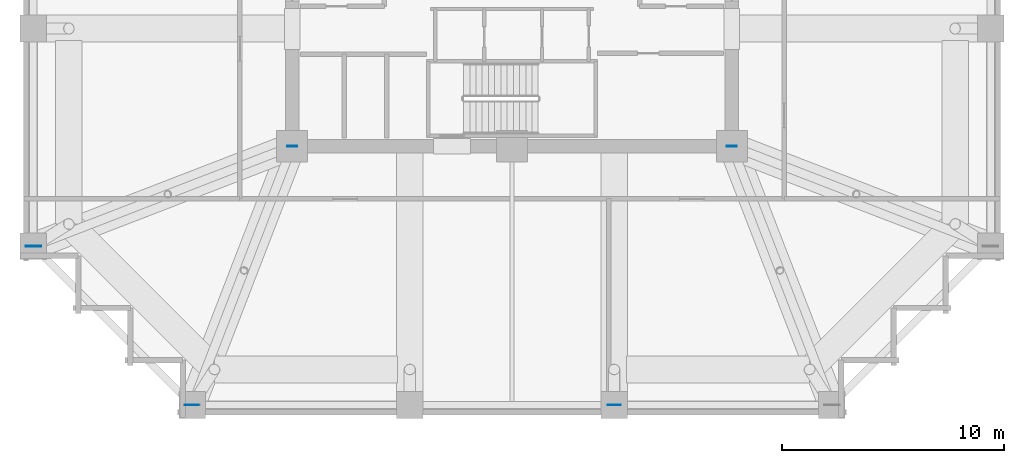
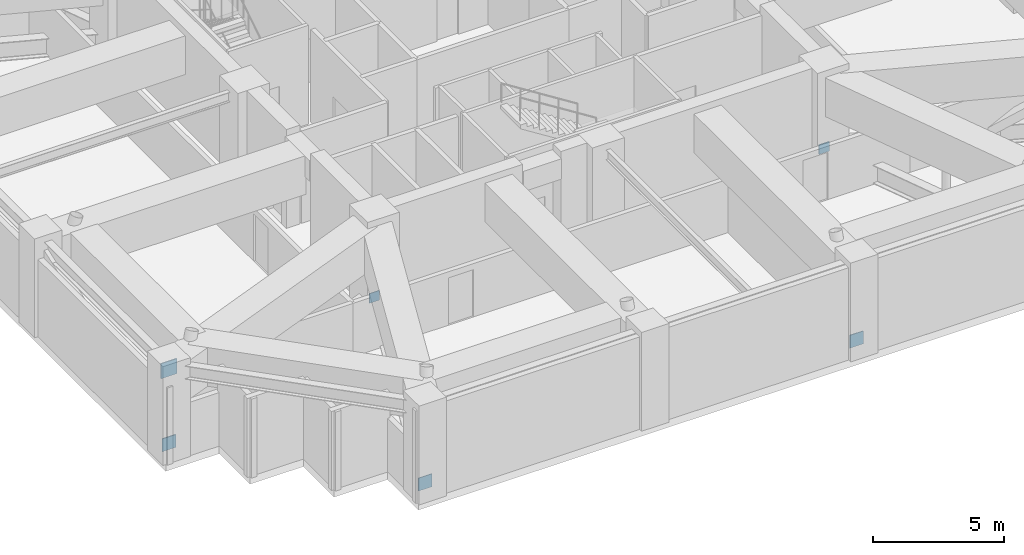
# One storey, part 8 of 15: 6 plates.
"""IFC4 building model written with IfcOpenShell, lengths in metres."""

from ifc_helpers import new_model, si_unit, direction, frame, origin, origin_2d, place, context, subcontext, project, spatial, rectangle, extrude, material, layer, layer_set, type_object, element, save


model = new_model("IFC4")

# Units and contexts
model_context = context("Model", 3, precision=1e-05, world=origin(), true_north=direction((0.0, 1.0)))
body_context = subcontext(model_context, "Body", "Model", "MODEL_VIEW")
ifc_project = project(units=[si_unit("LENGTHUNIT", "METRE"), si_unit("AREAUNIT", "SQUARE_METRE"), si_unit("VOLUMEUNIT", "CUBIC_METRE"), si_unit("PLANEANGLEUNIT", "RADIAN"), si_unit("MASSUNIT", "GRAM", prefix="KILO")], contexts=[model_context])

# Site, building, storey
site_placement = place(None, origin())
site = spatial("IfcSite", under=ifc_project, at=site_placement, CompositionType="ELEMENT")
building_placement = place(site_placement, origin())
building = spatial("IfcBuilding", under=site, at=building_placement, Name="Kolvaren Belvedere", CompositionType="ELEMENT")
storey_placement = place(building_placement, frame((0.0, 0.0, 63.39990234375)))
storey = spatial("IfcBuildingStorey", under=building, at=storey_placement, Name="L18", CompositionType="ELEMENT", Elevation=63.39990234375)

# Plates
ifc_material_1 = material(Name="Structural steel ASTM A572 Grade 50", Category="steel")
ifc_layer_1 = layer(ifc_material_1, 0.02490234375)
ifc_layer_set_1 = layer_set([ifc_layer_1], Name="Structural steel ASTM A572 Grade 50")
plate_type_1 = type_object("IfcPlateType", Name="PL-GUSSET-25", PredefinedType="USERDEFINED", material=ifc_layer_set_1)
for number, where, z_axis, x_axis, name in (
    (1, (-9.89990234375, -9.89990234375, 0.2548828125), (0.0, 0.0, 1.0), (1.0, 0.0, 0.0), "L18 Outrigger Node Cap Gusset OC-CC1"),
    (2, (9.89990234375, -9.89990234375, 0.2548828125), (0.0, 0.0, 1.0), (1.0, 0.0, 0.0), "L18 Outrigger Node Cap Gusset OC-CC2"),
):
    element("IfcPlate", number, at=place(storey_placement, frame(where, z_axis=z_axis, x_axis=x_axis)), inside=storey, type_object=plate_type_1, Name=name, ObjectType="GUSSET PLATE", PredefinedType="USERDEFINED", context=body_context, shape_type="SweptSolid", body=[
        extrude(rectangle(XDim=0.449951171875, YDim=0.02490234375, at=origin_2d()), origin(), (0.0, 0.0, 1.0), 0.449951171875),
    ])
ifc_material_2 = material(Name="Structural steel ASTM A572 Grade 50", Category="steel")
ifc_layer_2 = layer(ifc_material_2, 0.031982421875)
ifc_layer_set_2 = layer_set([ifc_layer_2], Name="Structural steel ASTM A572 Grade 50")
plate_type_2 = type_object("IfcPlateType", Name="PL-GUSSET-32", PredefinedType="USERDEFINED", material=ifc_layer_set_2)
for number, where, z_axis, x_axis, name in (
    (3, (-14.39990234375, -21.550048828125, 0.179931640625), (0.0, 0.0, 1.0), (1.0, 0.0, 0.0), "L18 Belt Truss Node Gusset BN-1"),
    (4, (4.60009765625, -21.550048828125, 0.179931640625), (0.0, 0.0, 1.0), (1.0, 0.0, 0.0), "L18 Belt Truss Node Gusset BN-2"),
    (5, (-21.550048828125, -14.39990234375, 0.179931640625), (0.0, 0.0, 1.0), (1.0, 0.0, 0.0), "L18 Belt Truss Node Gusset BN-5"),
):
    element("IfcPlate", number, at=place(storey_placement, frame(where, z_axis=z_axis, x_axis=x_axis)), inside=storey, type_object=plate_type_2, Name=name, ObjectType="GUSSET PLATE", PredefinedType="USERDEFINED", context=body_context, shape_type="SweptSolid", body=[
        extrude(rectangle(XDim=0.60009765625, YDim=0.031982421875, at=origin_2d()), origin(), (0.0, 0.0, 1.0), 0.60009765625),
    ])
ifc_material_3 = material(Name="Structural steel ASTM A572 Grade 50", Category="steel")
ifc_layer_3 = layer(ifc_material_3, 0.0400390625)
ifc_layer_set_3 = layer_set([ifc_layer_3], Name="Structural steel ASTM A572 Grade 50")
plate_type_3 = type_object("IfcPlateType", Name="PL-GUSSET-40", PredefinedType="USERDEFINED", material=ifc_layer_set_3)
plate_placement = place(storey_placement, frame((-21.550048828125, -14.39990234375, 3.60009765625), z_axis=(0.0, 0.0, 1.0), x_axis=(1.0, 0.0, 0.0)))
element("IfcPlate", 6, at=plate_placement, inside=storey, type_object=plate_type_3, Name="L18 Outrigger Truss Node Gusset ON-2", ObjectType="GUSSET PLATE", PredefinedType="USERDEFINED", context=body_context, shape_type="SweptSolid", body=[
    extrude(rectangle(XDim=0.699951171875, YDim=0.0400390625, at=origin_2d()), origin(), (0.0, 0.0, 1.0), 0.699951171875),
])

save(model, "model.ifc")
